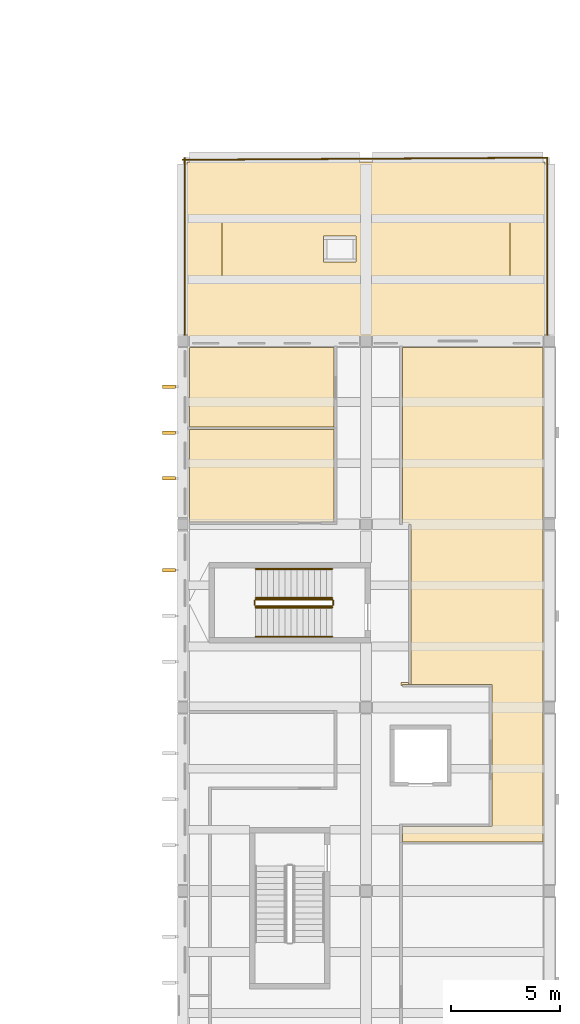
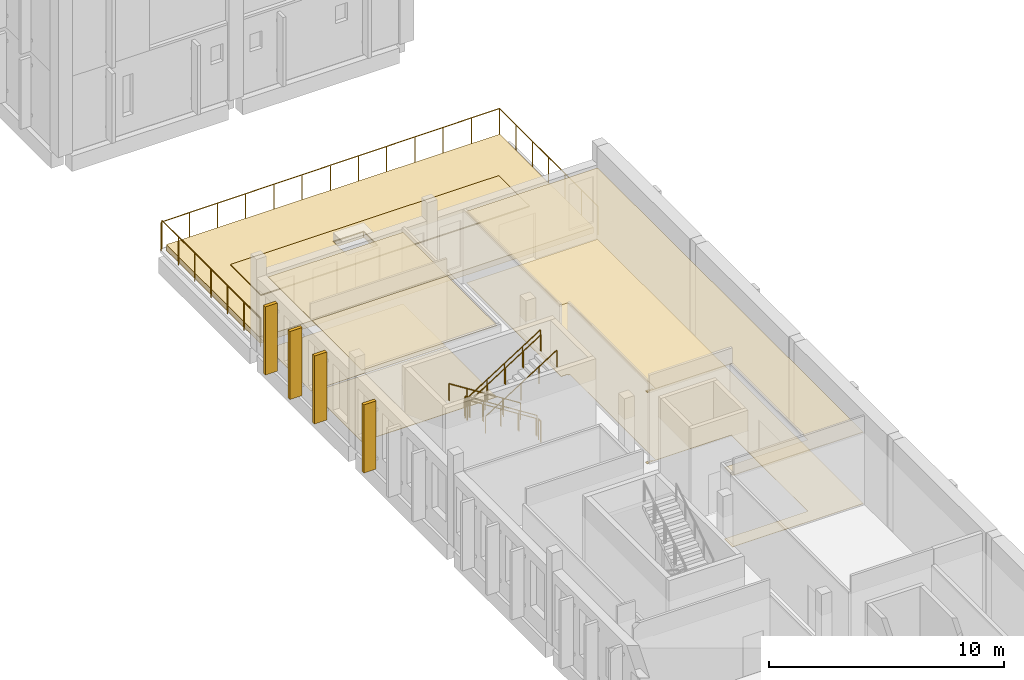
# One storey, part 66 of 79: 12 coverings, 10 railings.
"""IFC4 building model written with IfcOpenShell, lengths in metres."""

from ifc_helpers import new_model, si_unit, direction, frame, origin, origin_2d, place, context, subcontext, project, spatial, polyline, circle, outline, extrude, material, layer, layer_set, type_object, element, save


model = new_model("IFC4")

# Units and contexts
model_context = context("Model", 3, precision=1e-05, world=origin(), true_north=direction((0.0, 1.0)))
body_context = subcontext(model_context, "Body", "Model", "MODEL_VIEW")
ifc_project = project(units=[si_unit("LENGTHUNIT", "METRE"), si_unit("AREAUNIT", "SQUARE_METRE"), si_unit("VOLUMEUNIT", "CUBIC_METRE"), si_unit("PLANEANGLEUNIT", "RADIAN"), si_unit("MASSUNIT", "GRAM", prefix="KILO")], contexts=[model_context])

# Site, building, storey
site_placement = place(None, origin())
site = spatial("IfcSite", under=ifc_project, at=site_placement, CompositionType="ELEMENT")
building_placement = place(site_placement, origin())
building = spatial("IfcBuilding", under=site, at=building_placement, Name="Larchfold Concert Hall", CompositionType="ELEMENT")
storey_placement = place(building_placement, frame((0.0, 0.0, 14.39990234375)))
storey = spatial("IfcBuildingStorey", under=building, at=storey_placement, Name="L03", CompositionType="ELEMENT", Elevation=14.39990234375)

# Coverings
ifc_material_1 = material(Name="Plasterboard ceiling lining")
ifc_layer_1 = layer(ifc_material_1, 0.030029296875)
ifc_layer_set_1 = layer_set([ifc_layer_1], Name="Plasterboard ceiling lining")
covering_type_1 = type_object("IfcCoveringType", Name="Ceiling suspended plasterboard 30", PredefinedType="CEILING", material=ifc_layer_set_1)
covering_1_placement = place(storey_placement, frame((0.0, 0.0, 3.710205078125)))
element("IfcCovering", 1, at=covering_1_placement, inside=storey, type_object=covering_type_1, Name="Ceiling Orchestra Office 02", PredefinedType="CEILING", context=body_context, shape_type="SweptSolid", body=[
    extrude(outline(polyline([(84.900146484375, 46.949951171875), (84.900146484375, 42.71142578125), (91.53857421875, 42.71142578125), (91.53759765625, 47.0), (91.534912109375, 46.949951171875), (84.900146484375, 46.949951171875)])), origin(), (0.0, 0.0, 1.0), 0.030029296875),
])
covering_2_placement = place(storey_placement, frame((0.0, 0.0, 3.710205078125)))
element("IfcCovering", 2, at=covering_2_placement, inside=storey, type_object=covering_type_1, Name="Ceiling Orchestra Office 03", PredefinedType="CEILING", context=body_context, shape_type="SweptSolid", body=[
    extrude(outline(polyline([(91.534912109375, 47.0), (91.53759765625, 50.699951171875), (84.900146484375, 50.699951171875), (84.900146484375, 47.050048828125), (91.534912109375, 47.050048828125), (91.534912109375, 47.0)])), origin(), (0.0, 0.0, 1.0), 0.030029296875),
])
covering_3_placement = place(storey_placement, frame((0.0, 0.0, 3.710205078125)))
element("IfcCovering", 3, at=covering_3_placement, inside=storey, type_object=covering_type_1, Name="Ceiling Costume Workshop", PredefinedType="CEILING", context=body_context, shape_type="SweptSolid", body=[
    extrude(outline(polyline([(94.66259765625, 50.699951171875), (94.661376953125, 42.650146484375), (95.0, 42.650146484375), (95.0, 42.58642578125), (95.0615234375, 42.58642578125), (95.0615234375, 35.28857421875), (94.9365234375, 35.28857421875), (94.9365234375, 35.349853515625), (94.60009765625, 35.349853515625), (94.60009765625, 35.199951171875), (94.66162109375, 35.199951171875), (94.66162109375, 35.262451171875), (98.761474609375, 35.261474609375), (98.761474609375, 28.738525390625), (94.66162109375, 28.738525390625), (94.66162109375, 28.0), (94.6650390625, 28.050048828125), (101.099853515625, 28.050048828125), (101.099853515625, 50.699951171875), (94.66259765625, 50.699951171875)])), origin(), (0.0, 0.0, 1.0), 0.030029296875),
])
ifc_material_2 = material(Name="Linoleum sheet")
ifc_layer_2 = layer(ifc_material_2, 0.02001953125)
ifc_layer_set_2 = layer_set([ifc_layer_2], Name="Linoleum sheet")
covering_type_2 = type_object("IfcCoveringType", Name="Floor finish vinyl 20", PredefinedType="FLOORING", material=ifc_layer_set_2)
covering_4_placement = place(storey_placement, origin())
element("IfcCovering", 4, at=covering_4_placement, inside=storey, type_object=covering_type_2, Name="Floor finish Orchestra Office 02", PredefinedType="FLOORING", context=body_context, shape_type="SweptSolid", body=[
    extrude(outline(polyline([(84.900146484375, 46.949951171875), (84.900146484375, 42.71142578125), (91.53857421875, 42.71142578125), (91.53759765625, 47.0), (91.534912109375, 46.949951171875), (84.900146484375, 46.949951171875)])), origin(), (0.0, 0.0, 1.0), 0.02001953125),
])
covering_5_placement = place(storey_placement, origin())
element("IfcCovering", 5, at=covering_5_placement, inside=storey, type_object=covering_type_2, Name="Floor finish Orchestra Office 03", PredefinedType="FLOORING", context=body_context, shape_type="SweptSolid", body=[
    extrude(outline(polyline([(91.534912109375, 47.0), (91.53759765625, 50.699951171875), (84.900146484375, 50.699951171875), (84.900146484375, 47.050048828125), (91.534912109375, 47.050048828125), (91.534912109375, 47.0)])), origin(), (0.0, 0.0, 1.0), 0.02001953125),
])
covering_6_placement = place(storey_placement, origin())
element("IfcCovering", 6, at=covering_6_placement, inside=storey, type_object=covering_type_2, Name="Floor finish Costume Workshop", PredefinedType="FLOORING", context=body_context, shape_type="SweptSolid", body=[
    extrude(outline(polyline([(94.66259765625, 50.699951171875), (94.661376953125, 42.650146484375), (95.0, 42.650146484375), (95.0, 42.58642578125), (95.0615234375, 42.58642578125), (95.0615234375, 35.28857421875), (94.9365234375, 35.28857421875), (94.9365234375, 35.349853515625), (94.60009765625, 35.349853515625), (94.60009765625, 35.199951171875), (94.66162109375, 35.199951171875), (94.66162109375, 35.262451171875), (98.761474609375, 35.261474609375), (98.761474609375, 28.738525390625), (94.66162109375, 28.738525390625), (94.66162109375, 28.0), (94.6650390625, 28.050048828125), (101.099853515625, 28.050048828125), (101.099853515625, 50.699951171875), (94.66259765625, 50.699951171875)])), origin(), (0.0, 0.0, 1.0), 0.02001953125),
])
ifc_material_3 = material(Name="Glulam GL30c", Category="wood")
ifc_layer_3 = layer(ifc_material_3, 0.159912109375)
ifc_layer_set_3 = layer_set([ifc_layer_3], Name="Glulam GL30c")
covering_type_3 = type_object("IfcCoveringType", Name="Glulam fin 160x600", PredefinedType="CLADDING", material=ifc_layer_set_3)
covering_7_placement = place(storey_placement, frame((0.0, 0.0, 0.199951171875)))
element("IfcCovering", 7, at=covering_7_placement, inside=storey, type_object=covering_type_3, Name="Glulam fin FN-L03-044", PredefinedType="CLADDING", context=body_context, shape_type="SweptSolid", body=[
    extrude(outline(polyline([(84.275146484375, 44.6201171875), (84.275146484375, 44.780029296875), (83.675048828125, 44.780029296875), (83.675048828125, 44.6201171875), (84.275146484375, 44.6201171875)])), origin(), (0.0, 0.0, 1.0), 3.5400390625),
])
covering_8_placement = place(storey_placement, frame((0.0, 0.0, 0.199951171875)))
element("IfcCovering", 8, at=covering_8_placement, inside=storey, type_object=covering_type_3, Name="Glulam fin FN-L03-045", PredefinedType="CLADDING", context=body_context, shape_type="SweptSolid", body=[
    extrude(outline(polyline([(84.275146484375, 46.719970703125), (84.275146484375, 46.8798828125), (83.675048828125, 46.8798828125), (83.675048828125, 46.719970703125), (84.275146484375, 46.719970703125)])), origin(), (0.0, 0.0, 1.0), 3.5400390625),
])
covering_9_placement = place(storey_placement, frame((0.0, 0.0, 0.199951171875)))
element("IfcCovering", 9, at=covering_9_placement, inside=storey, type_object=covering_type_3, Name="Glulam fin FN-L03-046", PredefinedType="CLADDING", context=body_context, shape_type="SweptSolid", body=[
    extrude(outline(polyline([(84.275146484375, 48.820068359375), (84.275146484375, 48.97998046875), (83.675048828125, 48.97998046875), (83.675048828125, 48.820068359375), (84.275146484375, 48.820068359375)])), origin(), (0.0, 0.0, 1.0), 3.5400390625),
])
covering_10_placement = place(storey_placement, frame((0.0, 0.0, 0.199951171875)))
element("IfcCovering", 10, at=covering_10_placement, inside=storey, type_object=covering_type_3, Name="Glulam fin FN-L03-049", PredefinedType="CLADDING", context=body_context, shape_type="SweptSolid", body=[
    extrude(outline(polyline([(84.275146484375, 40.419921875), (84.275146484375, 40.580078125), (83.675048828125, 40.580078125), (83.675048828125, 40.419921875), (84.275146484375, 40.419921875)])), origin(), (0.0, 0.0, 1.0), 3.5400390625),
])
ifc_material_4 = material(Name="Planting soil and drainage layer on membrane")
ifc_layer_4 = layer(ifc_material_4, 0.300048828125)
ifc_layer_set_4 = layer_set([ifc_layer_4], Name="Planting soil and drainage layer on membrane")
covering_type_4 = type_object("IfcCoveringType", Name="Planted roof build-up 300", PredefinedType="ROOFING", material=ifc_layer_set_4)
covering_11_placement = place(storey_placement, origin())
element("IfcCovering", 11, at=covering_11_placement, inside=storey, type_object=covering_type_4, Name="Roof covering RC004", PredefinedType="ROOFING", context=body_context, shape_type="SweptSolid", body=[
    extrude(outline(polyline([(84.800048828125, 51.2099609375), (101.199951171875, 51.2099609375), (101.199951171875, 59.199951171875), (84.800048828125, 59.199951171875), (84.800048828125, 51.2099609375)]), holes=[polyline([(92.550048828125, 55.81005859375), (91.050048828125, 55.81005859375), (91.050048828125, 54.60986328125), (92.550048828125, 54.60986328125), (92.550048828125, 55.81005859375)])]), origin(), (0.0, 0.0, 1.0), 0.300048828125),
])

# Railings
ifc_material_5 = material(Name="Graphite painted steel guard", Category="steel")
railing_type_1 = type_object("IfcRailingType", Name="Roof garden guard 1500", PredefinedType="GUARDRAIL", material=ifc_material_5)
railing_1_placement = place(storey_placement, frame((84.7001953125, 59.39990234375, 0.0)))
element("IfcRailing", 12, at=railing_1_placement, inside=storey, type_object=railing_type_1, Name="Roof guard GR0007", PredefinedType="GUARDRAIL", context=body_context, shape_type="SweptSolid", body=[
    extrude(circle(Radius=0.02392578125, at=origin_2d()), frame((0.0, 0.0, 1.47607421875), z_axis=(0.0, -1.0, 0.0), x_axis=(1.0, 0.0, 0.0)), (0.0, 0.0, 1.0), 8.389892578125),
    extrude(circle(Radius=0.02099609375, at=origin_2d()), origin(), (0.0, 0.0, 1.0), 1.451904296875),
    extrude(circle(Radius=0.02099609375, at=origin_2d()), frame((0.0, -1.3984375, 0.0)), (0.0, 0.0, 1.0), 1.451904296875),
    extrude(circle(Radius=0.02099609375, at=origin_2d()), frame((0.0, -2.796630859375, 0.0)), (0.0, 0.0, 1.0), 1.451904296875),
    extrude(circle(Radius=0.02099609375, at=origin_2d()), frame((0.0, -4.19482421875, 0.0)), (0.0, 0.0, 1.0), 1.451904296875),
    extrude(circle(Radius=0.02099609375, at=origin_2d()), frame((0.0, -5.59326171875, 0.0)), (0.0, 0.0, 1.0), 1.451904296875),
    extrude(circle(Radius=0.02099609375, at=origin_2d()), frame((0.0, -6.99169921875, 0.0)), (0.0, 0.0, 1.0), 1.451904296875),
    extrude(circle(Radius=0.02099609375, at=origin_2d()), frame((0.0, -8.389892578125, 0.0)), (0.0, 0.0, 1.0), 1.451904296875),
])
railing_2_placement = place(storey_placement, frame((101.2998046875, 51.010009765625, 0.0)))
element("IfcRailing", 13, at=railing_2_placement, inside=storey, type_object=railing_type_1, Name="Roof guard GR0008", PredefinedType="GUARDRAIL", context=body_context, shape_type="SweptSolid", body=[
    extrude(circle(Radius=0.02392578125, at=origin_2d()), frame((0.0, 0.0, 1.47607421875), z_axis=(0.0, 1.0, 0.0), x_axis=(-1.0, 0.0, 0.0)), (0.0, 0.0, 1.0), 8.389892578125),
    extrude(circle(Radius=0.02392578125, at=origin_2d()), frame((0.0, 8.389892578125, 1.47607421875), z_axis=(-0.999982036605, -0.005993869112, 0.0), x_axis=(0.005993869112, -0.999982036605, 0.0)), (0.0, 0.0, 1.0), 16.699951171875),
    extrude(circle(Radius=0.02099609375, at=origin_2d()), origin(), (0.0, 0.0, 1.0), 1.451904296875),
    extrude(circle(Radius=0.02099609375, at=origin_2d()), frame((0.0, 1.3984375, 0.0)), (0.0, 0.0, 1.0), 1.451904296875),
    extrude(circle(Radius=0.02099609375, at=origin_2d()), frame((0.0, 2.796630859375, 0.0)), (0.0, 0.0, 1.0), 1.451904296875),
    extrude(circle(Radius=0.02099609375, at=origin_2d()), frame((0.0, 4.19482421875, 0.0)), (0.0, 0.0, 1.0), 1.451904296875),
    extrude(circle(Radius=0.02099609375, at=origin_2d()), frame((0.0, 5.59326171875, 0.0)), (0.0, 0.0, 1.0), 1.451904296875),
    extrude(circle(Radius=0.02099609375, at=origin_2d()), frame((0.0, 6.99169921875, 0.0)), (0.0, 0.0, 1.0), 1.451904296875),
    extrude(circle(Radius=0.02099609375, at=origin_2d()), frame((0.0, 8.389892578125, 0.0)), (0.0, 0.0, 1.0), 1.451904296875),
    extrude(circle(Radius=0.02099609375, at=origin_2d()), frame((-1.3916015625, 8.381591796875, 0.0)), (0.0, 0.0, 1.0), 1.451904296875),
    extrude(circle(Radius=0.02099609375, at=origin_2d()), frame((-2.783203125, 8.373291015625, 0.0)), (0.0, 0.0, 1.0), 1.451904296875),
    extrude(circle(Radius=0.02099609375, at=origin_2d()), frame((-4.1748046875, 8.36474609375, 0.0)), (0.0, 0.0, 1.0), 1.451904296875),
    extrude(circle(Radius=0.02099609375, at=origin_2d()), frame((-5.566650390625, 8.3564453125, 0.0)), (0.0, 0.0, 1.0), 1.451904296875),
    extrude(circle(Radius=0.02099609375, at=origin_2d()), frame((-6.958251953125, 8.34814453125, 0.0)), (0.0, 0.0, 1.0), 1.451904296875),
    extrude(circle(Radius=0.02099609375, at=origin_2d()), frame((-8.349853515625, 8.33984375, 0.0)), (0.0, 0.0, 1.0), 1.451904296875),
    extrude(circle(Radius=0.02099609375, at=origin_2d()), frame((-9.741455078125, 8.33154296875, 0.0)), (0.0, 0.0, 1.0), 1.451904296875),
    extrude(circle(Radius=0.02099609375, at=origin_2d()), frame((-11.133056640625, 8.3232421875, 0.0)), (0.0, 0.0, 1.0), 1.451904296875),
    extrude(circle(Radius=0.02099609375, at=origin_2d()), frame((-12.52490234375, 8.31494140625, 0.0)), (0.0, 0.0, 1.0), 1.451904296875),
    extrude(circle(Radius=0.02099609375, at=origin_2d()), frame((-13.91650390625, 8.306396484375, 0.0)), (0.0, 0.0, 1.0), 1.451904296875),
    extrude(circle(Radius=0.02099609375, at=origin_2d()), frame((-15.30810546875, 8.298095703125, 0.0)), (0.0, 0.0, 1.0), 1.451904296875),
    extrude(circle(Radius=0.02099609375, at=origin_2d()), frame((-16.69970703125, 8.289794921875, 0.0)), (0.0, 0.0, 1.0), 1.451904296875),
])

# Covering
ifc_material_6 = material(Name="Concrete paving slab on pedestals", Category="concrete")
ifc_layer_5 = layer(ifc_material_6, 0.0400390625)
ifc_layer_set_5 = layer_set([ifc_layer_5], Name="Concrete paving slab on pedestals")
covering_type_5 = type_object("IfcCoveringType", Name="Roof terrace paving 40", PredefinedType="FLOORING", material=ifc_layer_set_5)
covering_12_placement = place(storey_placement, frame((0.0, 0.0, 0.300048828125)))
element("IfcCovering", 14, at=covering_12_placement, inside=storey, type_object=covering_type_5, Name="Roof paving PV05", PredefinedType="FLOORING", context=body_context, shape_type="SweptSolid", body=[
    extrude(outline(polyline([(99.599853515625, 56.5048828125), (86.400146484375, 56.5048828125), (86.400146484375, 53.905029296875), (99.599853515625, 53.905029296875), (99.599853515625, 56.5048828125)]), holes=[polyline([(92.550048828125, 55.81005859375), (91.050048828125, 55.81005859375), (91.050048828125, 54.60986328125), (92.550048828125, 54.60986328125), (92.550048828125, 55.81005859375)])]), origin(), (0.0, 0.0, 1.0), 0.0400390625),
])

# Railings
ifc_material_7 = material(Name="Stainless steel balustrade", Category="steel")
railing_type_2 = type_object("IfcRailingType", Name="Stair guard 1100", PredefinedType="GUARDRAIL", material=ifc_material_7)
railing_3_placement = place(storey_placement, frame((91.449951171875, 39.150146484375, 0.171630859375)))
element("IfcRailing", 15, at=railing_3_placement, inside=storey, type_object=railing_type_2, Name="Guard GR0061", PredefinedType="GUARDRAIL", context=body_context, shape_type="SweptSolid", body=[
    extrude(circle(Radius=0.02392578125, at=origin_2d()), frame((0.0, 0.0, 1.076171875), z_axis=(-0.844219563411, 0.0, 0.53599750816), x_axis=(0.0, -1.0, 0.0)), (0.0, 0.0, 1.0), 4.15771484375),
    extrude(circle(Radius=0.02099609375, at=origin_2d()), origin(), (0.0, 0.0, 1.0), 1.052001953125),
    extrude(circle(Radius=0.02099609375, at=origin_2d()), frame((-0.87744140625, 0.0, 0.55712890625)), (0.0, 0.0, 1.0), 1.052001953125),
    extrude(circle(Radius=0.02099609375, at=origin_2d()), frame((-1.7548828125, 0.0, 1.1142578125)), (0.0, 0.0, 1.0), 1.052001953125),
    extrude(circle(Radius=0.02099609375, at=origin_2d()), frame((-2.632568359375, 0.0, 1.67138671875)), (0.0, 0.0, 1.0), 1.052001953125),
    extrude(circle(Radius=0.02099609375, at=origin_2d()), frame((-3.510009765625, 0.0, 2.228515625)), (0.0, 0.0, 1.0), 1.052001953125),
])
railing_4_placement = place(storey_placement, frame((87.889892578125, 39.10009765625, 2.400146484375)))
element("IfcRailing", 16, at=railing_4_placement, inside=storey, type_object=railing_type_2, Name="Guard GR0062", PredefinedType="GUARDRAIL", context=body_context, shape_type="SweptSolid", body=[
    extrude(circle(Radius=0.02392578125, at=origin_2d()), frame((0.0, 0.0, 1.076171875), z_axis=(0.0, -1.0, 0.0), x_axis=(1.0, 0.0, 0.0)), (0.0, 0.0, 1.0), 0.199951171875),
    extrude(circle(Radius=0.02099609375, at=origin_2d()), origin(), (0.0, 0.0, 1.0), 1.052001953125),
    extrude(circle(Radius=0.02099609375, at=origin_2d()), frame((0.0, -0.199951171875, 0.0)), (0.0, 0.0, 1.0), 1.052001953125),
])
railing_5_placement = place(storey_placement, frame((87.93994140625, 38.85009765625, 2.571533203125)))
element("IfcRailing", 17, at=railing_5_placement, inside=storey, type_object=railing_type_2, Name="Guard GR0063", PredefinedType="GUARDRAIL", context=body_context, shape_type="SweptSolid", body=[
    extrude(circle(Radius=0.02392578125, at=origin_2d()), frame((0.0, 0.0, 1.076171875), z_axis=(0.844219563411, 0.0, 0.53599750816), x_axis=(0.0, 1.0, 0.0)), (0.0, 0.0, 1.0), 4.15771484375),
    extrude(circle(Radius=0.02099609375, at=origin_2d()), origin(), (0.0, 0.0, 1.0), 1.052001953125),
    extrude(circle(Radius=0.02099609375, at=origin_2d()), frame((0.87744140625, 0.0, 0.55712890625)), (0.0, 0.0, 1.0), 1.052001953125),
    extrude(circle(Radius=0.02099609375, at=origin_2d()), frame((1.7548828125, 0.0, 1.1142578125)), (0.0, 0.0, 1.0), 1.052001953125),
    extrude(circle(Radius=0.02099609375, at=origin_2d()), frame((2.632568359375, 0.0, 1.67138671875)), (0.0, 0.0, 1.0), 1.052001953125),
    extrude(circle(Radius=0.02099609375, at=origin_2d()), frame((3.510009765625, 0.0, 2.228515625)), (0.0, 0.0, 1.0), 1.052001953125),
])
railing_6_placement = place(storey_placement, frame((91.5, 39.10009765625, 0.0)))
element("IfcRailing", 18, at=railing_6_placement, inside=storey, type_object=railing_type_2, Name="Guard GR0064", PredefinedType="GUARDRAIL", context=body_context, shape_type="SweptSolid", body=[
    extrude(circle(Radius=0.02392578125, at=origin_2d()), frame((0.0, 0.0, 1.076171875), z_axis=(0.0, -1.0, 0.0), x_axis=(1.0, 0.0, 0.0)), (0.0, 0.0, 1.0), 0.199951171875),
    extrude(circle(Radius=0.02099609375, at=origin_2d()), origin(), (0.0, 0.0, 1.0), 1.052001953125),
    extrude(circle(Radius=0.02099609375, at=origin_2d()), frame((0.0, -0.199951171875, 0.0)), (0.0, 0.0, 1.0), 1.052001953125),
])
ifc_material_8 = material(Name="Stainless steel handrail", Category="steel")
railing_type_3 = type_object("IfcRailingType", Name="Stair handrail 900", PredefinedType="HANDRAIL", material=ifc_material_8)
railing_7_placement = place(storey_placement, frame((91.449951171875, 40.550048828125, 0.171630859375)))
element("IfcRailing", 19, at=railing_7_placement, inside=storey, type_object=railing_type_3, Name="Handrail HR0057", PredefinedType="HANDRAIL", context=body_context, shape_type="SweptSolid", body=[
    extrude(circle(Radius=0.02392578125, at=origin_2d()), frame((0.0, 0.0, 0.8759765625), z_axis=(-0.844219563411, 0.0, 0.53599750816), x_axis=(0.0, -1.0, 0.0)), (0.0, 0.0, 1.0), 4.15771484375),
    extrude(circle(Radius=0.02099609375, at=origin_2d()), origin(), (0.0, 0.0, 1.0), 0.851806640625),
    extrude(circle(Radius=0.02099609375, at=origin_2d()), frame((-0.87744140625, 0.0, 0.55712890625)), (0.0, 0.0, 1.0), 0.851806640625),
    extrude(circle(Radius=0.02099609375, at=origin_2d()), frame((-1.7548828125, 0.0, 1.1142578125)), (0.0, 0.0, 1.0), 0.851806640625),
    extrude(circle(Radius=0.02099609375, at=origin_2d()), frame((-2.632568359375, 0.0, 1.67138671875)), (0.0, 0.0, 1.0), 0.851806640625),
    extrude(circle(Radius=0.02099609375, at=origin_2d()), frame((-3.510009765625, 0.0, 2.228515625)), (0.0, 0.0, 1.0), 0.851806640625),
])
railing_8_placement = place(storey_placement, frame((87.93994140625, 37.4501953125, 2.571533203125)))
element("IfcRailing", 20, at=railing_8_placement, inside=storey, type_object=railing_type_3, Name="Handrail HR0058", PredefinedType="HANDRAIL", context=body_context, shape_type="SweptSolid", body=[
    extrude(circle(Radius=0.02392578125, at=origin_2d()), frame((0.0, 0.0, 0.8759765625), z_axis=(0.844219563411, 0.0, 0.53599750816), x_axis=(0.0, 1.0, 0.0)), (0.0, 0.0, 1.0), 4.15771484375),
    extrude(circle(Radius=0.02099609375, at=origin_2d()), origin(), (0.0, 0.0, 1.0), 0.851806640625),
    extrude(circle(Radius=0.02099609375, at=origin_2d()), frame((0.87744140625, 0.0, 0.55712890625)), (0.0, 0.0, 1.0), 0.851806640625),
    extrude(circle(Radius=0.02099609375, at=origin_2d()), frame((1.7548828125, 0.0, 1.1142578125)), (0.0, 0.0, 1.0), 0.851806640625),
    extrude(circle(Radius=0.02099609375, at=origin_2d()), frame((2.632568359375, 0.0, 1.67138671875)), (0.0, 0.0, 1.0), 0.851806640625),
    extrude(circle(Radius=0.02099609375, at=origin_2d()), frame((3.510009765625, 0.0, 2.228515625)), (0.0, 0.0, 1.0), 0.851806640625),
])
railing_9_placement = place(storey_placement, frame((91.449951171875, 39.22021484375, 0.171630859375)))
element("IfcRailing", 21, at=railing_9_placement, inside=storey, type_object=railing_type_3, Name="Handrail HR0059", PredefinedType="HANDRAIL", context=body_context, shape_type="SweptSolid", body=[
    extrude(circle(Radius=0.02392578125, at=origin_2d()), frame((0.0, 0.0, 0.8759765625), z_axis=(-0.844219563411, 0.0, 0.53599750816), x_axis=(0.0, -1.0, 0.0)), (0.0, 0.0, 1.0), 4.15771484375),
    extrude(circle(Radius=0.02099609375, at=origin_2d()), origin(), (0.0, 0.0, 1.0), 0.851806640625),
    extrude(circle(Radius=0.02099609375, at=origin_2d()), frame((-0.87744140625, 0.0, 0.55712890625)), (0.0, 0.0, 1.0), 0.851806640625),
    extrude(circle(Radius=0.02099609375, at=origin_2d()), frame((-1.7548828125, 0.0, 1.1142578125)), (0.0, 0.0, 1.0), 0.851806640625),
    extrude(circle(Radius=0.02099609375, at=origin_2d()), frame((-2.632568359375, 0.0, 1.67138671875)), (0.0, 0.0, 1.0), 0.851806640625),
    extrude(circle(Radius=0.02099609375, at=origin_2d()), frame((-3.510009765625, 0.0, 2.228515625)), (0.0, 0.0, 1.0), 0.851806640625),
])
railing_10_placement = place(storey_placement, frame((87.93994140625, 38.780029296875, 2.571533203125)))
element("IfcRailing", 22, at=railing_10_placement, inside=storey, type_object=railing_type_3, Name="Handrail HR0060", PredefinedType="HANDRAIL", context=body_context, shape_type="SweptSolid", body=[
    extrude(circle(Radius=0.02392578125, at=origin_2d()), frame((0.0, 0.0, 0.8759765625), z_axis=(0.844219563411, 0.0, 0.53599750816), x_axis=(0.0, 1.0, 0.0)), (0.0, 0.0, 1.0), 4.15771484375),
    extrude(circle(Radius=0.02099609375, at=origin_2d()), origin(), (0.0, 0.0, 1.0), 0.851806640625),
    extrude(circle(Radius=0.02099609375, at=origin_2d()), frame((0.87744140625, 0.0, 0.55712890625)), (0.0, 0.0, 1.0), 0.851806640625),
    extrude(circle(Radius=0.02099609375, at=origin_2d()), frame((1.7548828125, 0.0, 1.1142578125)), (0.0, 0.0, 1.0), 0.851806640625),
    extrude(circle(Radius=0.02099609375, at=origin_2d()), frame((2.632568359375, 0.0, 1.67138671875)), (0.0, 0.0, 1.0), 0.851806640625),
    extrude(circle(Radius=0.02099609375, at=origin_2d()), frame((3.510009765625, 0.0, 2.228515625)), (0.0, 0.0, 1.0), 0.851806640625),
])

save(model, "model.ifc")
